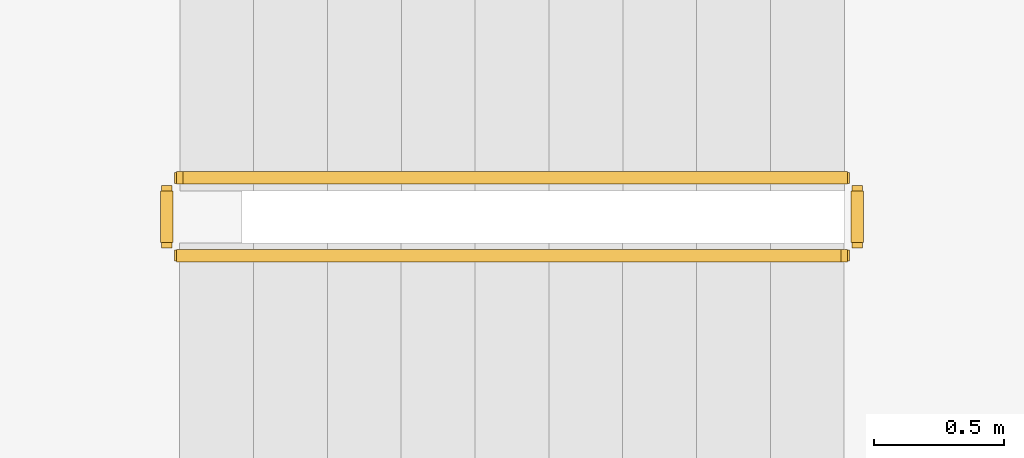
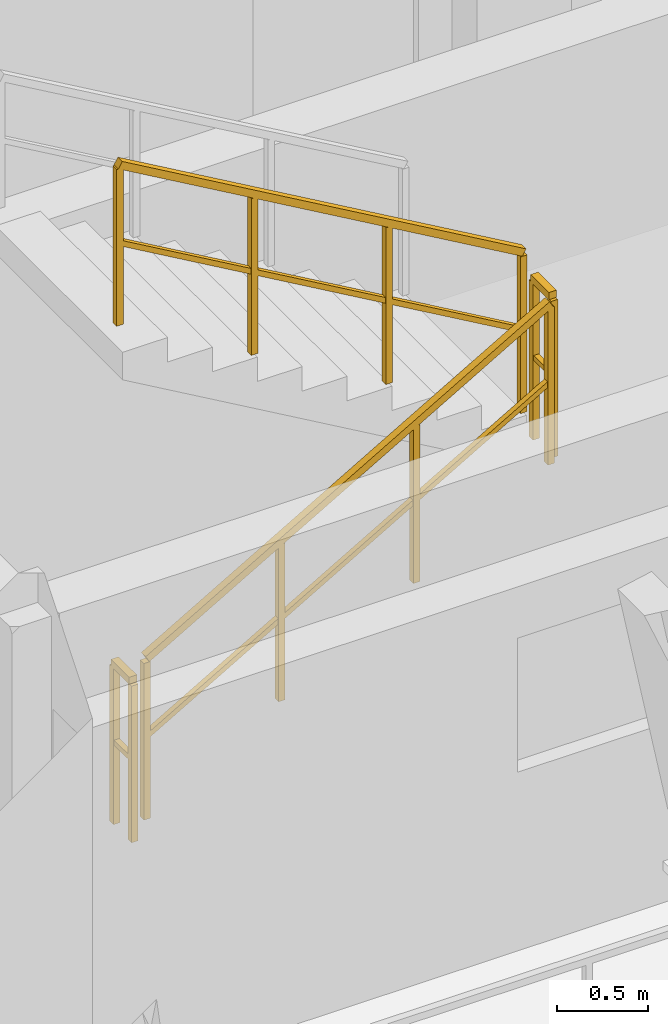
# One storey, part 73 of 75: 4 railings.
"""IFC4 building model written with IfcOpenShell, lengths in metres."""

from ifc_helpers import new_model, si_unit, direction, frame, origin, origin_2d, place, context, subcontext, project, spatial, rectangle, extrude, material, type_object, element, save


model = new_model("IFC4")

# Units and contexts
model_context = context("Model", 3, precision=1e-05, world=origin(), true_north=direction((0.0, 1.0)))
body_context = subcontext(model_context, "Body", "Model", "MODEL_VIEW")
ifc_project = project(units=[si_unit("LENGTHUNIT", "METRE"), si_unit("AREAUNIT", "SQUARE_METRE"), si_unit("VOLUMEUNIT", "CUBIC_METRE"), si_unit("PLANEANGLEUNIT", "RADIAN"), si_unit("MASSUNIT", "GRAM", prefix="KILO")], contexts=[model_context])

# Site, building, storey
site_placement = place(None, origin())
site = spatial("IfcSite", under=ifc_project, at=site_placement, CompositionType="ELEMENT")
building_placement = place(site_placement, origin())
building = spatial("IfcBuilding", under=site, at=building_placement, Name="Suanplinth Sawtooth Commons", CompositionType="ELEMENT")
storey_placement = place(building_placement, frame((0.0, 0.0, 18.60009765625)))
storey = spatial("IfcBuildingStorey", under=building, at=storey_placement, Name="L05", CompositionType="ELEMENT", Elevation=18.60009765625)

# Railings
ifc_material = material(Name="Stainless steel Grade 304", Category="steel")
railing_type = type_object("IfcRailingType", Name="GR-04", PredefinedType="GUARDRAIL", material=ifc_material)
railing_1_placement = place(storey_placement, frame((138.64990234375, 109.800048828125, 0.164794921875)))
element("IfcRailing", 1, at=railing_1_placement, inside=storey, type_object=railing_type, Name="L05 ST-E1 Guard 1", PredefinedType="GUARDRAIL", context=body_context, shape_type="SweptSolid", body=[
    extrude(rectangle(XDim=0.048095703125, YDim=0.048095703125, at=origin_2d()), frame((0.0, 0.0, 1.076171875), z_axis=(0.865426285481, 0.0, 0.501036270542), x_axis=(0.0, 1.0, 0.0)), (0.0, 0.0, 1.0), 2.964111328125),
    extrude(rectangle(XDim=0.03369140625, YDim=0.03369140625, at=origin_2d()), frame((0.0, 0.0, 0.550048828125), z_axis=(0.865426285481, 0.0, 0.501036270542), x_axis=(0.0, 1.0, 0.0)), (0.0, 0.0, 1.0), 2.964111328125),
    extrude(rectangle(XDim=0.0419921875, YDim=0.0419921875, at=origin_2d()), origin(), (0.0, 0.0, 1.0), 1.052001953125),
    extrude(rectangle(XDim=0.0419921875, YDim=0.0419921875, at=origin_2d()), frame((0.85498046875, 0.0, 0.4951171875)), (0.0, 0.0, 1.0), 1.052001953125),
    extrude(rectangle(XDim=0.0419921875, YDim=0.0419921875, at=origin_2d()), frame((1.710205078125, 0.0, 0.989990234375)), (0.0, 0.0, 1.0), 1.052001953125),
    extrude(rectangle(XDim=0.0419921875, YDim=0.0419921875, at=origin_2d()), frame((2.565185546875, 0.0, 1.485107421875)), (0.0, 0.0, 1.0), 1.052001953125),
])
railing_2_placement = place(storey_placement, frame((141.264892578125, 109.85009765625, 1.64990234375)))
element("IfcRailing", 2, at=railing_2_placement, inside=storey, type_object=railing_type, Name="L05 ST-E1 Guard 2", PredefinedType="GUARDRAIL", context=body_context, shape_type="SweptSolid", body=[
    extrude(rectangle(XDim=0.048095703125, YDim=0.048095703125, at=origin_2d()), frame((0.0, 0.0, 1.076171875), z_axis=(0.0, 1.0, 0.0), x_axis=(-1.0, 0.0, 0.0)), (0.0, 0.0, 1.0), 0.199951171875),
    extrude(rectangle(XDim=0.03369140625, YDim=0.03369140625, at=origin_2d()), frame((0.0, 0.0, 0.550048828125), z_axis=(0.0, 1.0, 0.0), x_axis=(-1.0, 0.0, 0.0)), (0.0, 0.0, 1.0), 0.199951171875),
    extrude(rectangle(XDim=0.0419921875, YDim=0.0419921875, at=origin_2d()), origin(), (0.0, 0.0, 1.0), 1.052001953125),
    extrude(rectangle(XDim=0.0419921875, YDim=0.0419921875, at=origin_2d()), frame((0.0, 0.199951171875, 0.0)), (0.0, 0.0, 1.0), 1.052001953125),
])
railing_3_placement = place(storey_placement, frame((141.215087890625, 110.10009765625, 1.81494140625)))
element("IfcRailing", 3, at=railing_3_placement, inside=storey, type_object=railing_type, Name="L05 ST-E1 Guard 3", PredefinedType="GUARDRAIL", context=body_context, shape_type="SweptSolid", body=[
    extrude(rectangle(XDim=0.048095703125, YDim=0.048095703125, at=origin_2d()), frame((0.0, 0.0, 1.076171875), z_axis=(-0.865461999751, 0.0, 0.500974577186), x_axis=(0.0, -1.0, 0.0)), (0.0, 0.0, 1.0), 2.9638671875),
    extrude(rectangle(XDim=0.03369140625, YDim=0.03369140625, at=origin_2d()), frame((0.0, 0.0, 0.550048828125), z_axis=(-0.865461999751, 0.0, 0.500974577186), x_axis=(0.0, -1.0, 0.0)), (0.0, 0.0, 1.0), 2.9638671875),
    extrude(rectangle(XDim=0.0419921875, YDim=0.0419921875, at=origin_2d()), origin(), (0.0, 0.0, 1.0), 1.052001953125),
    extrude(rectangle(XDim=0.0419921875, YDim=0.0419921875, at=origin_2d()), frame((-0.85498046875, 0.0, 0.494873046875)), (0.0, 0.0, 1.0), 1.052001953125),
    extrude(rectangle(XDim=0.0419921875, YDim=0.0419921875, at=origin_2d()), frame((-1.710205078125, 0.0, 0.989990234375)), (0.0, 0.0, 1.0), 1.052001953125),
    extrude(rectangle(XDim=0.0419921875, YDim=0.0419921875, at=origin_2d()), frame((-2.565185546875, 0.0, 1.48486328125)), (0.0, 0.0, 1.0), 1.052001953125),
])
railing_4_placement = place(storey_placement, frame((138.60009765625, 109.85009765625, 0.0)))
element("IfcRailing", 4, at=railing_4_placement, inside=storey, type_object=railing_type, Name="L05 ST-E1 Guard 4", PredefinedType="GUARDRAIL", context=body_context, shape_type="SweptSolid", body=[
    extrude(rectangle(XDim=0.048095703125, YDim=0.048095703125, at=origin_2d()), frame((0.0, 0.0, 1.076171875), z_axis=(0.0, 1.0, 0.0), x_axis=(-1.0, 0.0, 0.0)), (0.0, 0.0, 1.0), 0.199951171875),
    extrude(rectangle(XDim=0.03369140625, YDim=0.03369140625, at=origin_2d()), frame((0.0, 0.0, 0.550048828125), z_axis=(0.0, 1.0, 0.0), x_axis=(-1.0, 0.0, 0.0)), (0.0, 0.0, 1.0), 0.199951171875),
    extrude(rectangle(XDim=0.0419921875, YDim=0.0419921875, at=origin_2d()), origin(), (0.0, 0.0, 1.0), 1.052001953125),
    extrude(rectangle(XDim=0.0419921875, YDim=0.0419921875, at=origin_2d()), frame((0.0, 0.199951171875, 0.0)), (0.0, 0.0, 1.0), 1.052001953125),
])

save(model, "model.ifc")
